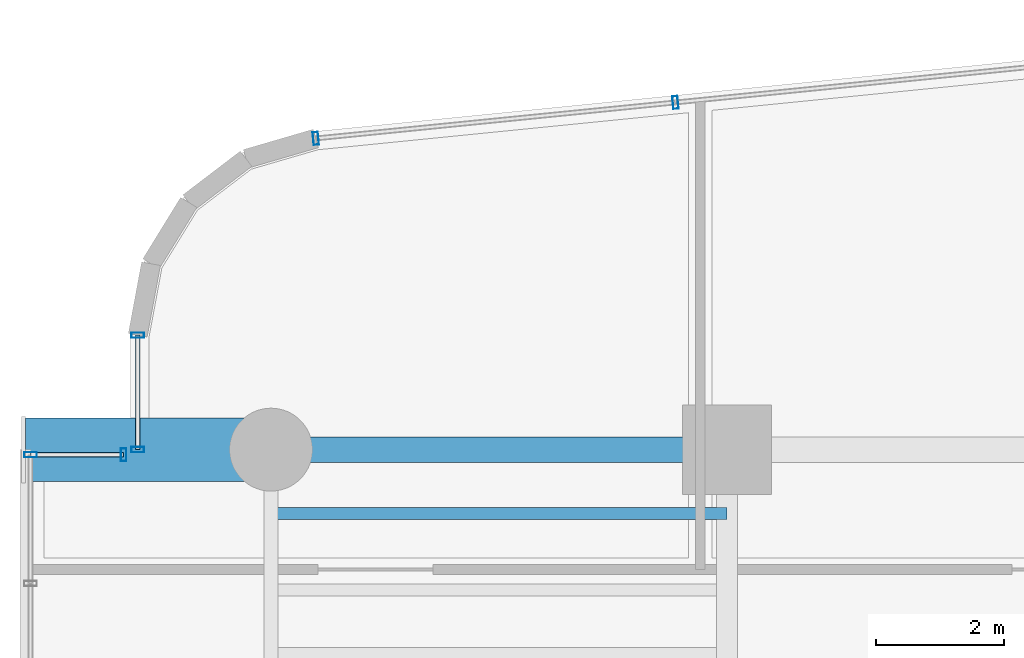
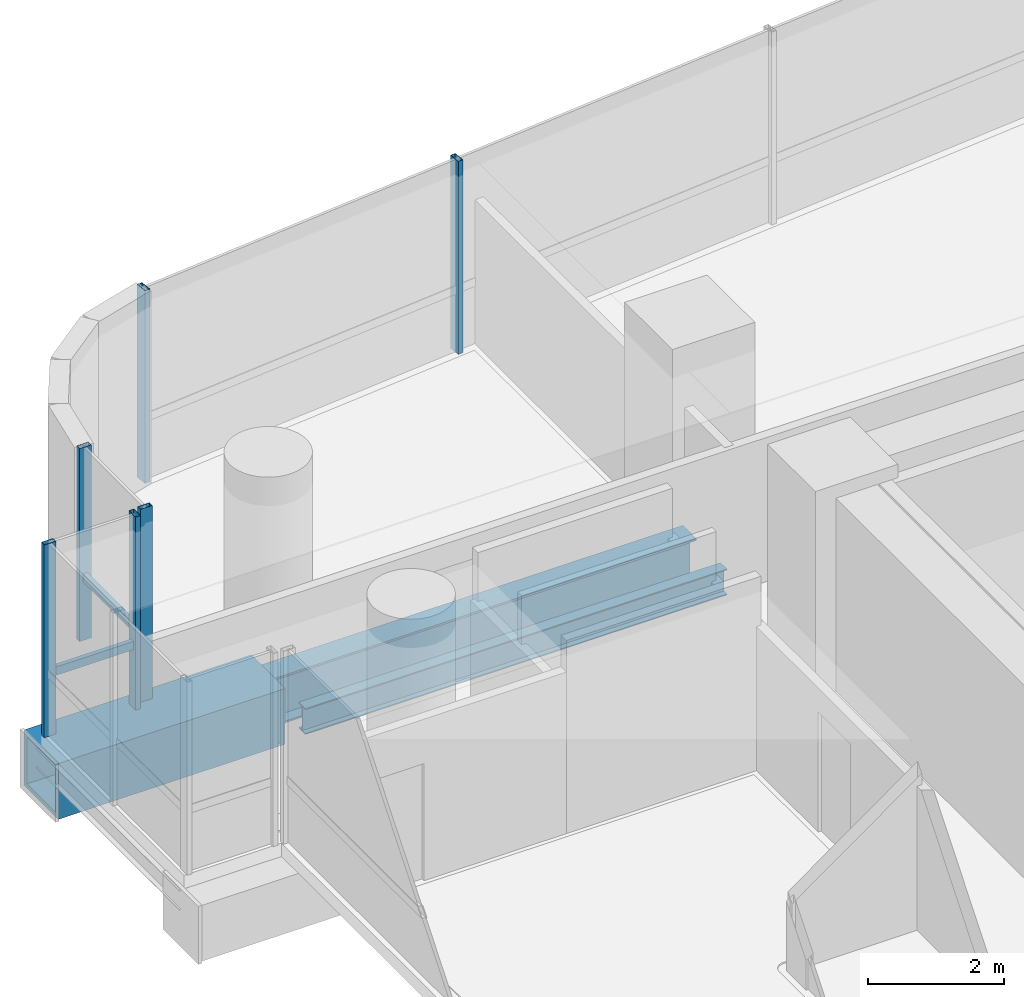
# One storey, part 19 of 41: 8 members, 3 beams, 4 elements without a shape of their own.
"""IFC4 building model written with IfcOpenShell, lengths in metres."""

from ifc_helpers import new_model, si_unit, direction, frame, origin, origin_2d, place, context, subcontext, project, spatial, hollow_rectangle, i_section, extrude, source, transform, mapped, material, material_profile, profile_set, type_object, element, aggregate, save


model = new_model("IFC4")

# Units and contexts
model_context = context("Model", 3, precision=1e-05, world=origin(), true_north=direction((0.0, 1.0)))
body_context = subcontext(model_context, "Body", "Model", "MODEL_VIEW")
ifc_project = project(units=[si_unit("LENGTHUNIT", "METRE"), si_unit("AREAUNIT", "SQUARE_METRE"), si_unit("VOLUMEUNIT", "CUBIC_METRE"), si_unit("PLANEANGLEUNIT", "RADIAN"), si_unit("MASSUNIT", "GRAM", prefix="KILO")], contexts=[model_context])

# Site, building, storey
site_placement = place(None, origin())
site = spatial("IfcSite", under=ifc_project, at=site_placement, CompositionType="ELEMENT")
building_placement = place(site_placement, origin())
building = spatial("IfcBuilding", under=site, at=building_placement, Name="Valdorenza Pilgrim Sanctuary Tower", CompositionType="ELEMENT")
storey_placement = place(building_placement, frame((0.0, 0.0, 85.199951171875)))
storey = spatial("IfcBuildingStorey", under=building, at=storey_placement, Name="L21", CompositionType="ELEMENT", Elevation=85.199951171875)

# Beams
ifc_material_1 = material(Name="Steel ASTM A992 Grade 50", Category="steel")
ifc_material_profile_1 = material_profile(ifc_material_1, i_section(OverallWidth=0.193115234375, OverallDepth=0.466064453125, WebThickness=0.011474609375, FlangeThickness=0.01904296875, at=origin_2d()), Name="W18X65")
ifc_profile_set_1 = profile_set([ifc_material_profile_1], Name="Steel ASTM A992 Grade 50")
beam_type_1 = type_object("IfcBeamType", Name="STR-BM-JST-W18A", PredefinedType="JOIST", material=ifc_profile_set_1)
shared_shape_1 = source(origin(), body_context, "Body", "SweptSolid", [
    extrude(i_section(OverallWidth=0.193115234375, OverallDepth=0.466064453125, WebThickness=0.011474609375, FlangeThickness=0.01904296875, at=origin_2d()), origin(), (0.0, 0.0, 1.0), 7.150146484375),
])
beam_1_placement = place(storey_placement, frame((-29.800048828125, 13.800048828125, -0.472900390625), z_axis=(1.0, 0.0, 0.0), x_axis=(0.0, 1.0, 0.0)))
element("IfcBeam", 1, at=beam_1_placement, inside=storey, type_object=beam_type_1, Name="L21 Composite Floor Joist JST-WA-26", PredefinedType="JOIST", context=body_context, shape_type="MappedRepresentation", body=[
    mapped(shared_shape_1, transform((0.0, 0.0, 0.0), x_axis=(1.0, 0.0, 0.0), y_axis=(0.0, 1.0, 0.0), z_axis=(0.0, 0.0, 1.0), scale=1.0)),
])
ifc_material_2 = material(Name="Steel ASTM A572 Grade 42", Category="steel")
ifc_material_profile_2 = material_profile(ifc_material_2, hollow_rectangle(XDim=1.0, YDim=1.0, WallThickness=0.080078125, at=origin_2d()), Name="BOX 1000x1000x80")
ifc_profile_set_2 = profile_set([ifc_material_profile_2], Name="Steel ASTM A572 Grade 42")
beam_type_2 = type_object("IfcBeamType", Name="STR-BM-PROW-CANT", PredefinedType="BEAM", material=ifc_profile_set_2)
shared_shape_2 = source(origin(), body_context, "Body", "SweptSolid", [
    extrude(hollow_rectangle(XDim=1.0, YDim=1.0, WallThickness=0.080078125, at=origin_2d()), origin(), (0.0, 0.0, 1.0), 3.849853515625),
])
beam_2_placement = place(storey_placement, frame((-29.800048828125, 14.800048828125, -0.739990234375), z_axis=(-1.0, 0.0, 0.0), x_axis=(0.0, -1.0, 0.0)))
element("IfcBeam", 2, at=beam_2_placement, inside=storey, type_object=beam_type_2, Name="L21 Glass Box Cantilever Beam BOX-WA-L21-CT-N", PredefinedType="BEAM", context=body_context, shape_type="MappedRepresentation", body=[
    mapped(shared_shape_2, transform((0.0, 0.0, 0.0), x_axis=(1.0, 0.0, 0.0), y_axis=(0.0, 1.0, 0.0), z_axis=(0.0, 0.0, 1.0), scale=1.0)),
])
ifc_material_profile_3 = material_profile(ifc_material_1, i_section(OverallWidth=0.39990234375, OverallDepth=0.862060546875, WebThickness=0.019775390625, FlangeThickness=0.032470703125, at=origin_2d()), Name="W33X221")
ifc_profile_set_3 = profile_set([ifc_material_profile_3], Name="Steel ASTM A992 Grade 50")
beam_type_3 = type_object("IfcBeamType", Name="STR-BM-GRD-W33", PredefinedType="BEAM", material=ifc_profile_set_3)
shared_shape_3 = source(origin(), body_context, "Body", "SweptSolid", [
    extrude(i_section(OverallWidth=0.39990234375, OverallDepth=0.862060546875, WebThickness=0.019775390625, FlangeThickness=0.032470703125, at=origin_2d()), origin(), (0.0, 0.0, 1.0), 7.150146484375),
])
beam_3_placement = place(storey_placement, frame((-29.800048828125, 14.800048828125, -0.6708984375), z_axis=(1.0, 0.0, 0.0), x_axis=(0.0, 1.0, 0.0)))
element("IfcBeam", 3, at=beam_3_placement, inside=storey, type_object=beam_type_3, Name="L21 Floor Girder WA-XW-N2", PredefinedType="BEAM", context=body_context, shape_type="MappedRepresentation", body=[
    mapped(shared_shape_3, transform((0.0, 0.0, 0.0), x_axis=(1.0, 0.0, 0.0), y_axis=(0.0, 1.0, 0.0), z_axis=(0.0, 0.0, 1.0), scale=1.0)),
])

# Curtain wall, members
ifc_material_3 = material(Name="Curtain-wall IGU glazing", Category="glass")
curtain_wall_type = type_object("IfcCurtainWallType", Name="CW-SYS-02", PredefinedType="NOTDEFINED", material=ifc_material_3)
curtain_wall_1_placement = place(storey_placement, origin())
curtain_wall_1 = element("IfcCurtainWall", 4, at=curtain_wall_1_placement, inside=storey, type_object=curtain_wall_type, Name="L21 Curtain Wall CW-L21-1-1S2", PredefinedType="NOTDEFINED")
ifc_material_4 = material(Name="Anodised aluminium AW-6060", Category="aluminium")
ifc_material_profile_4 = material_profile(ifc_material_4, hollow_rectangle(XDim=0.0849609375, YDim=0.199951171875, WallThickness=0.0048828125, at=origin_2d()), Name="ALU-M 200x85x5")
ifc_profile_set_4 = profile_set([ifc_material_profile_4], Name="Anodised aluminium AW-6060")
member_type_1 = type_object("IfcMemberType", Name="CW-MUL-02", PredefinedType="MULLION", material=ifc_profile_set_4)
shared_shape_4 = source(origin(), body_context, "Body", "SweptSolid", [
    extrude(hollow_rectangle(XDim=0.0849609375, YDim=0.199951171875, WallThickness=0.0048828125, at=origin_2d()), origin(), (0.0, 0.0, 1.0), 3.4599609375),
])
member_1_placement = place(storey_placement, frame((-31.889892578125, 14.800048828125, 0.0), z_axis=(0.0, 0.0, 1.0), x_axis=(0.0, 1.0, 0.0)))
member_1 = element("IfcMember", 5, at=member_1_placement, type_object=member_type_1, Name="CW-L21-1-1S2 Mullion 1", PredefinedType="MULLION", context=body_context, shape_type="MappedRepresentation", body=[
    mapped(shared_shape_4, transform((0.0, 0.0, 0.0), x_axis=(1.0, 0.0, 0.0), y_axis=(0.0, 1.0, 0.0), z_axis=(0.0, 0.0, 1.0), scale=1.0)),
])
member_2_placement = place(storey_placement, frame((-31.889892578125, 16.593994140625, 0.0), z_axis=(0.0, 0.0, 1.0), x_axis=(0.0, 1.0, 0.0)))
member_2 = element("IfcMember", 6, at=member_2_placement, type_object=member_type_1, Name="CW-L21-1-1S2 Mullion 2", PredefinedType="MULLION", context=body_context, shape_type="MappedRepresentation", body=[
    mapped(shared_shape_4, transform((0.0, 0.0, 0.0), x_axis=(1.0, 0.0, 0.0), y_axis=(0.0, 1.0, 0.0), z_axis=(0.0, 0.0, 1.0), scale=1.0)),
])

curtain_wall_2_placement = place(storey_placement, origin())
curtain_wall_2 = element("IfcCurtainWall", 7, at=curtain_wall_2_placement, inside=storey, type_object=curtain_wall_type, Name="L21 Curtain Wall CW-L21-1-6", PredefinedType="NOTDEFINED")
member_3_placement = place(storey_placement, frame((-29.097412109375, 19.6796875, 0.0), z_axis=(0.0, 0.0, 1.0), x_axis=(0.995038220239, 0.099493418189, 0.0)))
member_3 = element("IfcMember", 8, at=member_3_placement, type_object=member_type_1, Name="CW-L21-1-6 Mullion 1", PredefinedType="MULLION", context=body_context, shape_type="MappedRepresentation", body=[
    mapped(shared_shape_4, transform((0.0, 0.0, 0.0), x_axis=(1.0, 0.0, 0.0), y_axis=(0.0, 1.0, 0.0), z_axis=(0.0, 0.0, 1.0), scale=1.0)),
])
member_4_placement = place(storey_placement, frame((-23.458984375, 20.24365234375, 0.0), z_axis=(0.0, 0.0, 1.0), x_axis=(0.995038220239, 0.099493418189, 0.0)))
member_4 = element("IfcMember", 9, at=member_4_placement, type_object=member_type_1, Name="CW-L21-1-6 Mullion 2", PredefinedType="MULLION", context=body_context, shape_type="MappedRepresentation", body=[
    mapped(shared_shape_4, transform((0.0, 0.0, 0.0), x_axis=(1.0, 0.0, 0.0), y_axis=(0.0, 1.0, 0.0), z_axis=(0.0, 0.0, 1.0), scale=1.0)),
])
aggregate(curtain_wall_2, [member_3, member_4])

# Curtain wall, member
curtain_wall_3_placement = place(storey_placement, origin())
curtain_wall_3 = element("IfcCurtainWall", 10, at=curtain_wall_3_placement, inside=storey, type_object=curtain_wall_type, Name="L21 Curtain Wall CW-L21-BOX-WA-L21-F", PredefinedType="NOTDEFINED")
member_5_placement = place(storey_placement, frame((-33.570068359375, 14.719970703125, 0.0), z_axis=(0.0, 0.0, 1.0), x_axis=(0.0, 1.0, 0.0)))
member_5 = element("IfcMember", 11, at=member_5_placement, type_object=member_type_1, Name="CW-L21-BOX-WA-L21-F Mullion 3", PredefinedType="MULLION", context=body_context, shape_type="MappedRepresentation", body=[
    mapped(shared_shape_4, transform((0.0, 0.0, 0.0), x_axis=(1.0, 0.0, 0.0), y_axis=(0.0, 1.0, 0.0), z_axis=(0.0, 0.0, 1.0), scale=1.0)),
])
aggregate(curtain_wall_3, [member_5])

# Curtain wall, members
curtain_wall_4_placement = place(storey_placement, origin())
curtain_wall_4 = element("IfcCurtainWall", 12, at=curtain_wall_4_placement, inside=storey, type_object=curtain_wall_type, Name="L21 Curtain Wall CW-L21-BOX-WA-L21-N", PredefinedType="NOTDEFINED")
member_6_placement = place(storey_placement, frame((-32.110107421875, 14.719970703125, 0.0), z_axis=(0.0, 0.0, 1.0), x_axis=(1.0, 0.0, 0.0)))
member_6 = element("IfcMember", 13, at=member_6_placement, type_object=member_type_1, Name="CW-L21-BOX-WA-L21-N Mullion 2", PredefinedType="MULLION", context=body_context, shape_type="MappedRepresentation", body=[
    mapped(shared_shape_4, transform((0.0, 0.0, 0.0), x_axis=(1.0, 0.0, 0.0), y_axis=(0.0, 1.0, 0.0), z_axis=(0.0, 0.0, 1.0), scale=1.0)),
])
ifc_material_profile_5 = material_profile(ifc_material_4, hollow_rectangle(XDim=0.074951171875, YDim=0.14990234375, WallThickness=0.00390625, at=origin_2d()), Name="ALU-T 150x75x4")
ifc_profile_set_5 = profile_set([ifc_material_profile_5], Name="Anodised aluminium AW-6060")
member_type_2 = type_object("IfcMemberType", Name="CW-TRN-02", PredefinedType="USERDEFINED", material=ifc_profile_set_5)
shared_shape_5 = source(origin(), body_context, "Body", "SweptSolid", [
    extrude(hollow_rectangle(XDim=0.074951171875, YDim=0.14990234375, WallThickness=0.00390625, at=origin_2d()), origin(), (0.0, 0.0, 1.0), 1.4599609375),
])
member_7_placement = place(storey_placement, frame((-33.570068359375, 14.719970703125, 1.1201171875), z_axis=(1.0, 0.0, 0.0), x_axis=(0.0, 1.0, 0.0)))
member_7 = element("IfcMember", 14, at=member_7_placement, type_object=member_type_2, Name="CW-L21-BOX-WA-L21-N Transom 1", ObjectType="TRANSOM", PredefinedType="USERDEFINED", context=body_context, shape_type="MappedRepresentation", body=[
    mapped(shared_shape_5, transform((0.0, 0.0, 0.0), x_axis=(1.0, 0.0, 0.0), y_axis=(0.0, 1.0, 0.0), z_axis=(0.0, 0.0, 1.0), scale=1.0)),
])
aggregate(curtain_wall_4, [member_6, member_7])

# Member
shared_shape_6 = source(origin(), body_context, "Body", "SweptSolid", [
    extrude(hollow_rectangle(XDim=0.074951171875, YDim=0.14990234375, WallThickness=0.00390625, at=origin_2d()), origin(), (0.0, 0.0, 1.0), 1.7939453125),
])
member_8_placement = place(storey_placement, frame((-31.889892578125, 14.800048828125, 1.1201171875), z_axis=(0.0, 1.0, 0.0), x_axis=(-1.0, 0.0, 0.0)))
member_8 = element("IfcMember", 15, at=member_8_placement, type_object=member_type_2, Name="CW-L21-1-1S2 Transom 1", ObjectType="TRANSOM", PredefinedType="USERDEFINED", context=body_context, shape_type="MappedRepresentation", body=[
    mapped(shared_shape_6, transform((0.0, 0.0, 0.0), x_axis=(1.0, 0.0, 0.0), y_axis=(0.0, 1.0, 0.0), z_axis=(0.0, 0.0, 1.0), scale=1.0)),
])

aggregate(curtain_wall_1, [member_1, member_2, member_8])

save(model, "model.ifc")
